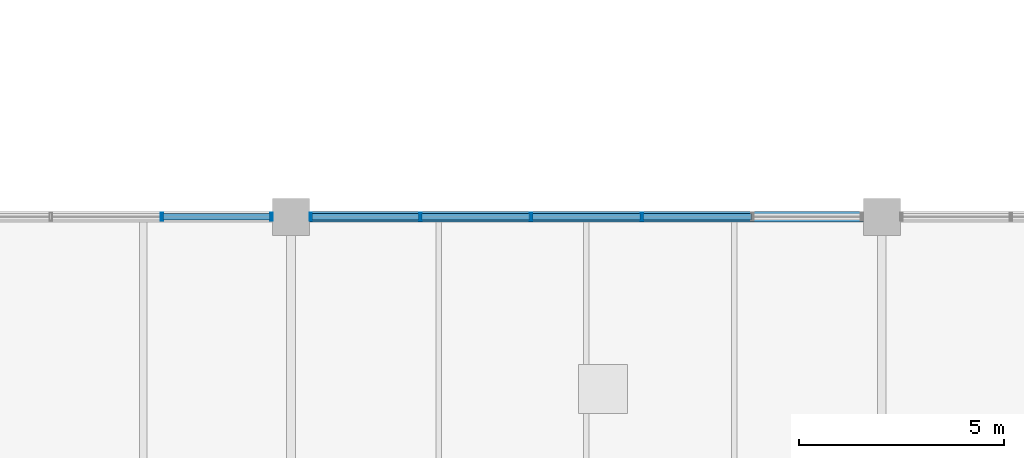
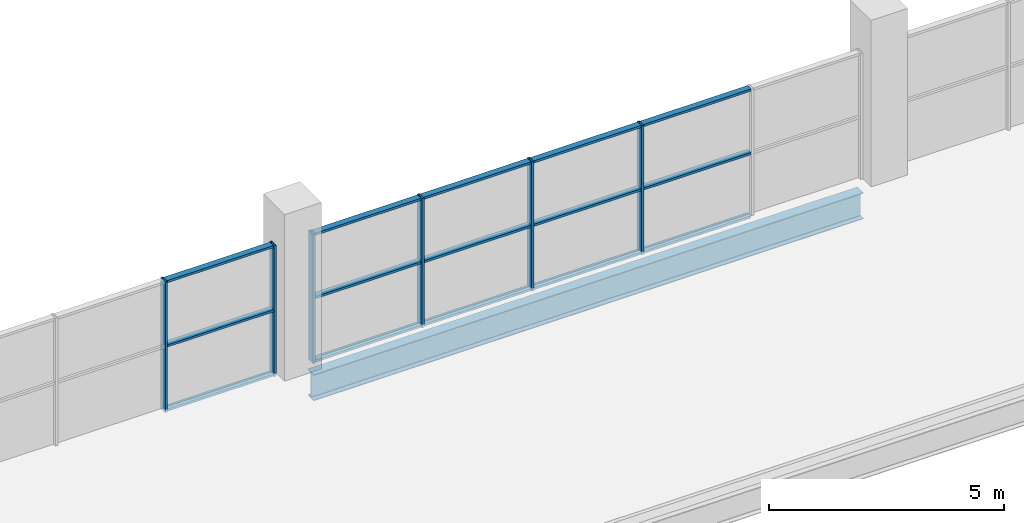
# One storey, part 23 of 93: 21 members, 1 beam, 2 elements without a shape of their own.
"""IFC4 building model written with IfcOpenShell, lengths in metres."""

from ifc_helpers import new_model, si_unit, direction, frame, origin, origin_2d, place, context, subcontext, project, spatial, hollow_rectangle, i_section, extrude, material, material_profile, profile_set, type_object, element, aggregate, save


model = new_model("IFC4")

# Units and contexts
model_context = context("Model", 3, precision=1e-05, world=origin(), true_north=direction((0.0, 1.0)))
body_context = subcontext(model_context, "Body", "Model", "MODEL_VIEW")
ifc_project = project(units=[si_unit("LENGTHUNIT", "METRE"), si_unit("AREAUNIT", "SQUARE_METRE"), si_unit("VOLUMEUNIT", "CUBIC_METRE"), si_unit("PLANEANGLEUNIT", "RADIAN"), si_unit("MASSUNIT", "GRAM", prefix="KILO"), si_unit("THERMODYNAMICTEMPERATUREUNIT", "KELVIN")], contexts=[model_context])

# Site, building, storey
site_placement = place(None, origin())
site = spatial("IfcSite", under=ifc_project, at=site_placement, CompositionType="ELEMENT")
building_placement = place(site_placement, origin())
building = spatial("IfcBuilding", under=site, at=building_placement, Name="Nduvali Passage Aquatics Centre", CompositionType="ELEMENT")
storey_placement = place(building_placement, frame((0.0, 0.0, 9.0)))
storey = spatial("IfcBuildingStorey", under=building, at=storey_placement, Name="L02", CompositionType="ELEMENT", Elevation=9.0)

# Curtain wall, members
ifc_material_1 = material(Name="Aluminium EN AW-6063 T6", Category="aluminium")
curtain_wall_type = type_object("IfcCurtainWallType", Name="ENV-CW-CLER", PredefinedType="NOTDEFINED", material=ifc_material_1)
curtain_wall_1_placement = place(storey_placement, origin())
curtain_wall_1 = element("IfcCurtainWall", 1, at=curtain_wall_1_placement, inside=storey, type_object=curtain_wall_type, Name="L02 South Pool Hall Eave Clerestory 048", PredefinedType="NOTDEFINED")
ifc_material_profile_1 = material_profile(ifc_material_1, hollow_rectangle(XDim=0.06005859375, YDim=0.199951171875, WallThickness=0.00390625, at=origin_2d()), Name="ALU MULLION 60x200x4")
ifc_profile_set_1 = profile_set([ifc_material_profile_1], Name="Aluminium EN AW-6063 T6")
member_type_1 = type_object("IfcMemberType", Name="ENV-MEM-MUL80", PredefinedType="MULLION", material=ifc_profile_set_1)
member_1_placement = place(storey_placement, frame((65.25, 25.199951171875, 0.0), z_axis=(0.0, 0.0, 1.0), x_axis=(1.0, 0.0, 0.0)))
member_1 = element("IfcMember", 2, at=member_1_placement, type_object=member_type_1, Name="South Pool Hall Eave Clerestory Mullion 5", PredefinedType="MULLION", context=body_context, shape_type="SweptSolid", body=[
    extrude(hollow_rectangle(XDim=0.06005859375, YDim=0.199951171875, WallThickness=0.00390625, at=origin_2d()), origin(), (0.0, 0.0, 1.0), 3.39404296875),
])
member_2_placement = place(storey_placement, frame((67.919921875, 25.199951171875, 0.0), z_axis=(0.0, 0.0, 1.0), x_axis=(1.0, 0.0, 0.0)))
member_2 = element("IfcMember", 3, at=member_2_placement, type_object=member_type_1, Name="South Pool Hall Eave Clerestory Mullion 6", PredefinedType="MULLION", context=body_context, shape_type="SweptSolid", body=[
    extrude(hollow_rectangle(XDim=0.06005859375, YDim=0.199951171875, WallThickness=0.00390625, at=origin_2d()), origin(), (0.0, 0.0, 1.0), 3.39404296875),
])

curtain_wall_2_placement = place(storey_placement, origin())
curtain_wall_2 = element("IfcCurtainWall", 4, at=curtain_wall_2_placement, inside=storey, type_object=curtain_wall_type, Name="L02 South Pool Hall Eave Clerestory 049", PredefinedType="NOTDEFINED")
member_3_placement = place(storey_placement, frame((68.8798828125, 25.199951171875, 0.0), z_axis=(0.0, 0.0, 1.0), x_axis=(1.0, 0.0, 0.0)))
member_3 = element("IfcMember", 5, at=member_3_placement, type_object=member_type_1, Name="South Pool Hall Eave Clerestory Mullion 1", PredefinedType="MULLION", context=body_context, shape_type="SweptSolid", body=[
    extrude(hollow_rectangle(XDim=0.06005859375, YDim=0.199951171875, WallThickness=0.00390625, at=origin_2d()), origin(), (0.0, 0.0, 1.0), 3.3525390625),
])
member_4_placement = place(storey_placement, frame((71.550048828125, 25.199951171875, 0.0), z_axis=(0.0, 0.0, 1.0), x_axis=(1.0, 0.0, 0.0)))
member_4 = element("IfcMember", 6, at=member_4_placement, type_object=member_type_1, Name="South Pool Hall Eave Clerestory Mullion 2", PredefinedType="MULLION", context=body_context, shape_type="SweptSolid", body=[
    extrude(hollow_rectangle(XDim=0.06005859375, YDim=0.199951171875, WallThickness=0.00390625, at=origin_2d()), origin(), (0.0, 0.0, 1.0), 3.3525390625),
])
member_5_placement = place(storey_placement, frame((74.25, 25.199951171875, 0.0), z_axis=(0.0, 0.0, 1.0), x_axis=(1.0, 0.0, 0.0)))
member_5 = element("IfcMember", 7, at=member_5_placement, type_object=member_type_1, Name="South Pool Hall Eave Clerestory Mullion 3", PredefinedType="MULLION", context=body_context, shape_type="SweptSolid", body=[
    extrude(hollow_rectangle(XDim=0.06005859375, YDim=0.199951171875, WallThickness=0.00390625, at=origin_2d()), origin(), (0.0, 0.0, 1.0), 3.3525390625),
])
member_6_placement = place(storey_placement, frame((76.949951171875, 25.199951171875, 0.0), z_axis=(0.0, 0.0, 1.0), x_axis=(1.0, 0.0, 0.0)))
member_6 = element("IfcMember", 8, at=member_6_placement, type_object=member_type_1, Name="South Pool Hall Eave Clerestory Mullion 4", PredefinedType="MULLION", context=body_context, shape_type="SweptSolid", body=[
    extrude(hollow_rectangle(XDim=0.06005859375, YDim=0.199951171875, WallThickness=0.00390625, at=origin_2d()), origin(), (0.0, 0.0, 1.0), 3.3525390625),
])

# Member
ifc_material_profile_2 = material_profile(ifc_material_1, hollow_rectangle(XDim=0.14990234375, YDim=0.06005859375, WallThickness=0.00390625, at=origin_2d()), Name="ALU TRANSOM 150x60x4")
ifc_profile_set_2 = profile_set([ifc_material_profile_2], Name="Aluminium EN AW-6063 T6")
member_type_2 = type_object("IfcMemberType", Name="ENV-MEM-TRN80", PredefinedType="USERDEFINED", material=ifc_profile_set_2)
member_7_placement = place(storey_placement, frame((65.280029296875, 25.199951171875, 0.030029296875), z_axis=(1.0, 0.0, 0.0), x_axis=(0.0, 1.0, 0.0)))
member_7 = element("IfcMember", 9, at=member_7_placement, type_object=member_type_2, Name="South Pool Hall Eave Clerestory Transom B5-R0", ObjectType="TRANSOM", PredefinedType="USERDEFINED", context=body_context, shape_type="SweptSolid", body=[
    extrude(hollow_rectangle(XDim=0.14990234375, YDim=0.06005859375, WallThickness=0.00390625, at=origin_2d()), origin(), (0.0, 0.0, 1.0), 2.60986328125),
])

member_8_placement = place(storey_placement, frame((65.280029296875, 25.199951171875, 1.697021484375), z_axis=(1.0, 0.0, 0.0), x_axis=(0.0, 1.0, 0.0)))
member_8 = element("IfcMember", 10, at=member_8_placement, type_object=member_type_2, Name="South Pool Hall Eave Clerestory Transom B5-R1", ObjectType="TRANSOM", PredefinedType="USERDEFINED", context=body_context, shape_type="SweptSolid", body=[
    extrude(hollow_rectangle(XDim=0.14990234375, YDim=0.06005859375, WallThickness=0.00390625, at=origin_2d()), origin(), (0.0, 0.0, 1.0), 2.60986328125),
])

member_9_placement = place(storey_placement, frame((65.280029296875, 25.199951171875, 3.364013671875), z_axis=(1.0, 0.0, 0.0), x_axis=(0.0, 1.0, 0.0)))
member_9 = element("IfcMember", 11, at=member_9_placement, type_object=member_type_2, Name="South Pool Hall Eave Clerestory Transom B5-R2", ObjectType="TRANSOM", PredefinedType="USERDEFINED", context=body_context, shape_type="SweptSolid", body=[
    extrude(hollow_rectangle(XDim=0.14990234375, YDim=0.06005859375, WallThickness=0.00390625, at=origin_2d()), origin(), (0.0, 0.0, 1.0), 2.60986328125),
])

aggregate(curtain_wall_1, [member_1, member_2, member_7, member_8, member_9])

member_10_placement = place(storey_placement, frame((68.909912109375, 25.199951171875, 0.030029296875), z_axis=(1.0, 0.0, 0.0), x_axis=(0.0, 1.0, 0.0)))
member_10 = element("IfcMember", 12, at=member_10_placement, type_object=member_type_2, Name="South Pool Hall Eave Clerestory Transom B1-R0", ObjectType="TRANSOM", PredefinedType="USERDEFINED", context=body_context, shape_type="SweptSolid", body=[
    extrude(hollow_rectangle(XDim=0.14990234375, YDim=0.06005859375, WallThickness=0.00390625, at=origin_2d()), origin(), (0.0, 0.0, 1.0), 2.610107421875),
])

member_11_placement = place(storey_placement, frame((68.909912109375, 25.199951171875, 1.67626953125), z_axis=(1.0, 0.0, 0.0), x_axis=(0.0, 1.0, 0.0)))
member_11 = element("IfcMember", 13, at=member_11_placement, type_object=member_type_2, Name="South Pool Hall Eave Clerestory Transom B1-R1", ObjectType="TRANSOM", PredefinedType="USERDEFINED", context=body_context, shape_type="SweptSolid", body=[
    extrude(hollow_rectangle(XDim=0.14990234375, YDim=0.06005859375, WallThickness=0.00390625, at=origin_2d()), origin(), (0.0, 0.0, 1.0), 2.610107421875),
])

member_12_placement = place(storey_placement, frame((68.909912109375, 25.199951171875, 3.322509765625), z_axis=(1.0, 0.0, 0.0), x_axis=(0.0, 1.0, 0.0)))
member_12 = element("IfcMember", 14, at=member_12_placement, type_object=member_type_2, Name="South Pool Hall Eave Clerestory Transom B1-R2", ObjectType="TRANSOM", PredefinedType="USERDEFINED", context=body_context, shape_type="SweptSolid", body=[
    extrude(hollow_rectangle(XDim=0.14990234375, YDim=0.06005859375, WallThickness=0.00390625, at=origin_2d()), origin(), (0.0, 0.0, 1.0), 2.610107421875),
])

member_13_placement = place(storey_placement, frame((71.580078125, 25.199951171875, 0.030029296875), z_axis=(1.0, 0.0, 0.0), x_axis=(0.0, 1.0, 0.0)))
member_13 = element("IfcMember", 15, at=member_13_placement, type_object=member_type_2, Name="South Pool Hall Eave Clerestory Transom B2-R0", ObjectType="TRANSOM", PredefinedType="USERDEFINED", context=body_context, shape_type="SweptSolid", body=[
    extrude(hollow_rectangle(XDim=0.14990234375, YDim=0.06005859375, WallThickness=0.00390625, at=origin_2d()), origin(), (0.0, 0.0, 1.0), 2.639892578125),
])

member_14_placement = place(storey_placement, frame((71.580078125, 25.199951171875, 1.67626953125), z_axis=(1.0, 0.0, 0.0), x_axis=(0.0, 1.0, 0.0)))
member_14 = element("IfcMember", 16, at=member_14_placement, type_object=member_type_2, Name="South Pool Hall Eave Clerestory Transom B2-R1", ObjectType="TRANSOM", PredefinedType="USERDEFINED", context=body_context, shape_type="SweptSolid", body=[
    extrude(hollow_rectangle(XDim=0.14990234375, YDim=0.06005859375, WallThickness=0.00390625, at=origin_2d()), origin(), (0.0, 0.0, 1.0), 2.639892578125),
])

member_15_placement = place(storey_placement, frame((71.580078125, 25.199951171875, 3.322509765625), z_axis=(1.0, 0.0, 0.0), x_axis=(0.0, 1.0, 0.0)))
member_15 = element("IfcMember", 17, at=member_15_placement, type_object=member_type_2, Name="South Pool Hall Eave Clerestory Transom B2-R2", ObjectType="TRANSOM", PredefinedType="USERDEFINED", context=body_context, shape_type="SweptSolid", body=[
    extrude(hollow_rectangle(XDim=0.14990234375, YDim=0.06005859375, WallThickness=0.00390625, at=origin_2d()), origin(), (0.0, 0.0, 1.0), 2.639892578125),
])

member_16_placement = place(storey_placement, frame((74.280029296875, 25.199951171875, 0.030029296875), z_axis=(1.0, 0.0, 0.0), x_axis=(0.0, 1.0, 0.0)))
member_16 = element("IfcMember", 18, at=member_16_placement, type_object=member_type_2, Name="South Pool Hall Eave Clerestory Transom B3-R0", ObjectType="TRANSOM", PredefinedType="USERDEFINED", context=body_context, shape_type="SweptSolid", body=[
    extrude(hollow_rectangle(XDim=0.14990234375, YDim=0.06005859375, WallThickness=0.00390625, at=origin_2d()), origin(), (0.0, 0.0, 1.0), 2.639892578125),
])

member_17_placement = place(storey_placement, frame((74.280029296875, 25.199951171875, 1.67626953125), z_axis=(1.0, 0.0, 0.0), x_axis=(0.0, 1.0, 0.0)))
member_17 = element("IfcMember", 19, at=member_17_placement, type_object=member_type_2, Name="South Pool Hall Eave Clerestory Transom B3-R1", ObjectType="TRANSOM", PredefinedType="USERDEFINED", context=body_context, shape_type="SweptSolid", body=[
    extrude(hollow_rectangle(XDim=0.14990234375, YDim=0.06005859375, WallThickness=0.00390625, at=origin_2d()), origin(), (0.0, 0.0, 1.0), 2.639892578125),
])

member_18_placement = place(storey_placement, frame((74.280029296875, 25.199951171875, 3.322509765625), z_axis=(1.0, 0.0, 0.0), x_axis=(0.0, 1.0, 0.0)))
member_18 = element("IfcMember", 20, at=member_18_placement, type_object=member_type_2, Name="South Pool Hall Eave Clerestory Transom B3-R2", ObjectType="TRANSOM", PredefinedType="USERDEFINED", context=body_context, shape_type="SweptSolid", body=[
    extrude(hollow_rectangle(XDim=0.14990234375, YDim=0.06005859375, WallThickness=0.00390625, at=origin_2d()), origin(), (0.0, 0.0, 1.0), 2.639892578125),
])

member_19_placement = place(storey_placement, frame((76.97998046875, 25.199951171875, 0.030029296875), z_axis=(1.0, 0.0, 0.0), x_axis=(0.0, 1.0, 0.0)))
member_19 = element("IfcMember", 21, at=member_19_placement, type_object=member_type_2, Name="South Pool Hall Eave Clerestory Transom B4-R0", ObjectType="TRANSOM", PredefinedType="USERDEFINED", context=body_context, shape_type="SweptSolid", body=[
    extrude(hollow_rectangle(XDim=0.14990234375, YDim=0.06005859375, WallThickness=0.00390625, at=origin_2d()), origin(), (0.0, 0.0, 1.0), 2.64013671875),
])

member_20_placement = place(storey_placement, frame((76.97998046875, 25.199951171875, 1.67626953125), z_axis=(1.0, 0.0, 0.0), x_axis=(0.0, 1.0, 0.0)))
member_20 = element("IfcMember", 22, at=member_20_placement, type_object=member_type_2, Name="South Pool Hall Eave Clerestory Transom B4-R1", ObjectType="TRANSOM", PredefinedType="USERDEFINED", context=body_context, shape_type="SweptSolid", body=[
    extrude(hollow_rectangle(XDim=0.14990234375, YDim=0.06005859375, WallThickness=0.00390625, at=origin_2d()), origin(), (0.0, 0.0, 1.0), 2.64013671875),
])

member_21_placement = place(storey_placement, frame((76.97998046875, 25.199951171875, 3.322509765625), z_axis=(1.0, 0.0, 0.0), x_axis=(0.0, 1.0, 0.0)))
member_21 = element("IfcMember", 23, at=member_21_placement, type_object=member_type_2, Name="South Pool Hall Eave Clerestory Transom B4-R2", ObjectType="TRANSOM", PredefinedType="USERDEFINED", context=body_context, shape_type="SweptSolid", body=[
    extrude(hollow_rectangle(XDim=0.14990234375, YDim=0.06005859375, WallThickness=0.00390625, at=origin_2d()), origin(), (0.0, 0.0, 1.0), 2.64013671875),
])

aggregate(curtain_wall_2, [member_3, member_4, member_5, member_6, member_10, member_11, member_12, member_13, member_14, member_15, member_16, member_17, member_18, member_19, member_20, member_21])

# Beam
ifc_material_2 = material(Name="Steel S355", Category="steel")
ifc_material_profile_3 = material_profile(ifc_material_2, i_section(OverallWidth=0.253662109375, OverallDepth=0.68359375, WebThickness=0.012451171875, FlangeThickness=0.01904296875, FilletRadius=0.01513671875, at=origin_2d()), Name="UKB 686x254x140")
ifc_profile_set_3 = profile_set([ifc_material_profile_3], Name="Steel S355")
beam_type = type_object("IfcBeamType", Name="STR-BM-UKB686-EXT", PredefinedType="BEAM", material=ifc_profile_set_3)
beam_placement = place(storey_placement, frame((68.85009765625, 25.199951171875, -0.605712890625), z_axis=(1.0, 0.0, 0.0), x_axis=(0.0, 1.0, 0.0)))
element("IfcBeam", 24, at=beam_placement, inside=storey, type_object=beam_type, Name="L02 Primary X-Girder B4E-0877", PredefinedType="BEAM", context=body_context, shape_type="SweptSolid", body=[
    extrude(i_section(OverallWidth=0.253662109375, OverallDepth=0.68359375, WebThickness=0.012451171875, FlangeThickness=0.01904296875, FilletRadius=0.01513671875, at=origin_2d()), origin(), (0.0, 0.0, 1.0), 13.5),
])

save(model, "model.ifc")
